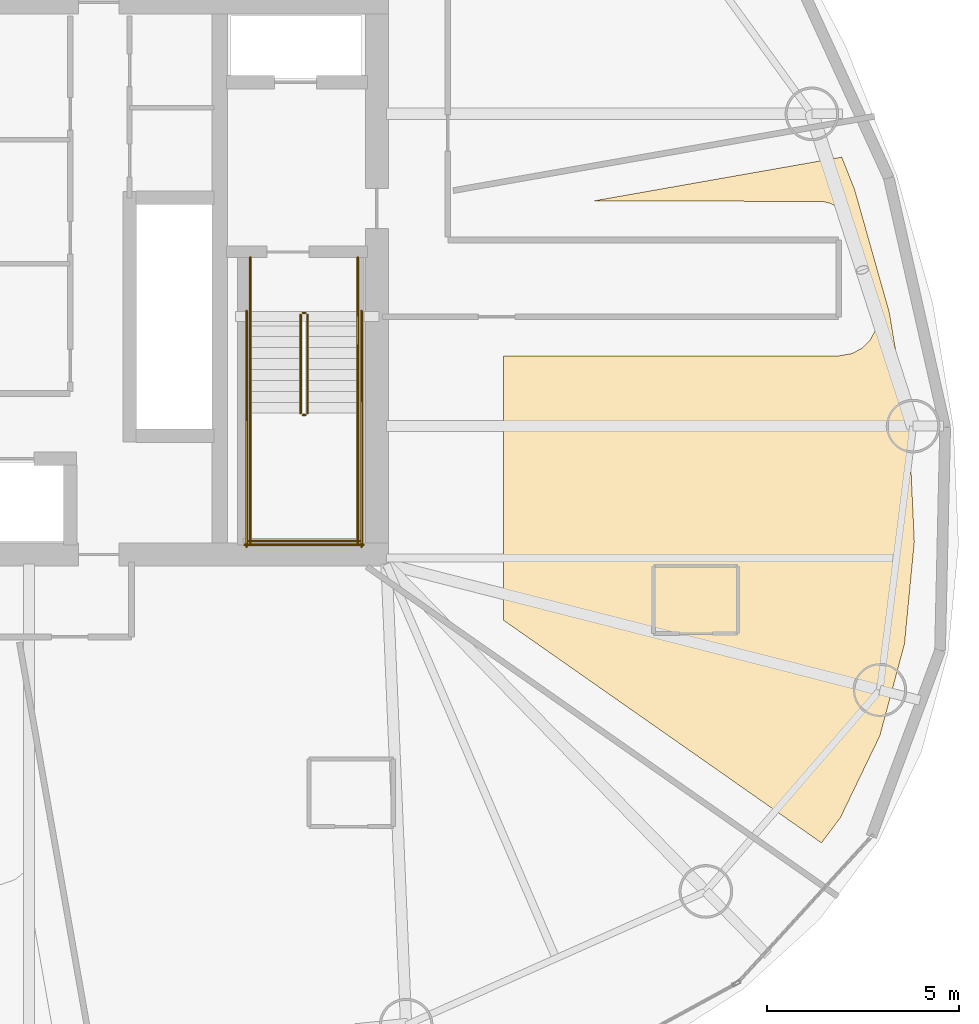
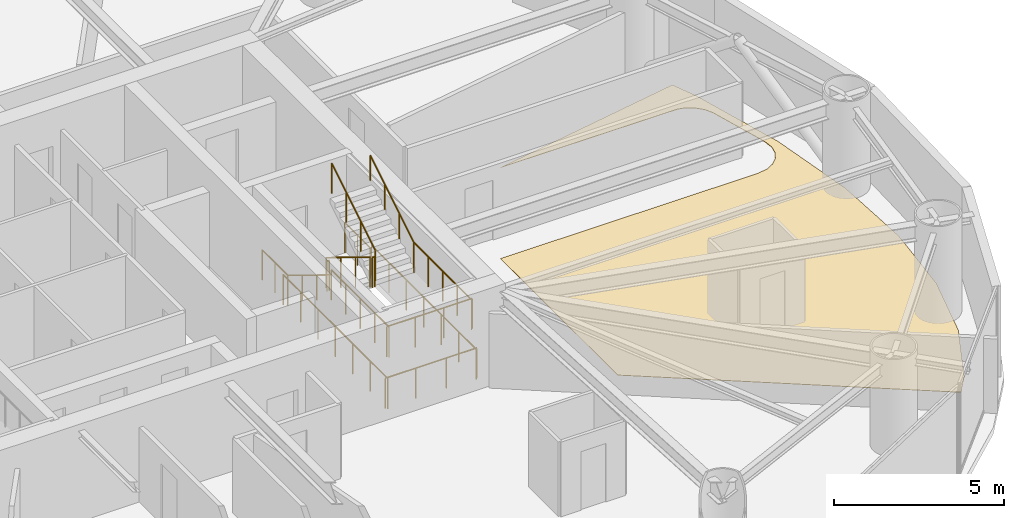
# One storey, part 19 of 20: 14 railings, 1 covering.
"""IFC4 building model written with IfcOpenShell, lengths in metres."""

from ifc_helpers import new_model, si_unit, direction, frame, origin, origin_2d, place, context, subcontext, project, spatial, polyline, circle, outline, extrude, material, layer, layer_set, type_object, element, save


model = new_model("IFC4")

# Units and contexts
model_context = context("Model", 3, precision=1e-05, world=origin(), true_north=direction((0.0, 1.0)))
body_context = subcontext(model_context, "Body", "Model", "MODEL_VIEW")
ifc_project = project(units=[si_unit("LENGTHUNIT", "METRE"), si_unit("AREAUNIT", "SQUARE_METRE"), si_unit("VOLUMEUNIT", "CUBIC_METRE"), si_unit("PLANEANGLEUNIT", "RADIAN"), si_unit("MASSUNIT", "GRAM", prefix="KILO")], contexts=[model_context])

# Site, building, storey
site_placement = place(None, origin())
site = spatial("IfcSite", under=ifc_project, at=site_placement, CompositionType="ELEMENT")
building_placement = place(site_placement, origin())
building = spatial("IfcBuilding", under=site, at=building_placement, Name="Bramvorn Convention Spire", CompositionType="ELEMENT")
storey_placement = place(building_placement, frame((0.0, 0.0, 155.300048828125)))
storey = spatial("IfcBuildingStorey", under=building, at=storey_placement, Name="L39", CompositionType="ELEMENT", Elevation=155.300048828125)

# Covering
ifc_material_1 = material(Name="Solution-Dyed Wool Broadloom Hospitality Carpet", Category="textile")
ifc_layer = layer(ifc_material_1, 0.014892578125)
ifc_layer_set = layer_set([ifc_layer], Name="Solution-Dyed Wool Broadloom Hospitality Carpet - FLR-CARPET-15")
covering_type = type_object("IfcCoveringType", Name="FLR-CARPET-15", PredefinedType="FLOORING", material=ifc_layer_set)
covering_placement = place(storey_placement, origin())
element("IfcCovering", 1, at=covering_placement, inside=storey, type_object=covering_type, Name="Hotel Suite 3908 wool broadloom carpet", PredefinedType="FLOORING", context=body_context, shape_type="SweptSolid", body=[
    extrude(outline(polyline([(60.626708984375, 28.009521484375), (60.8349609375, 27.956298828125), (61.100830078125, 27.8095703125), (61.31201171875, 27.591064453125), (61.4453125, 27.331298828125), (62.02685546875, 25.277099609375), (62.063232421875, 24.939697265625), (62.003173828125, 24.649658203125), (61.862060546875, 24.38916015625), (61.652099609375, 24.180419921875), (61.390869140625, 24.04052734375), (61.045166015625, 23.97998046875), (52.300048828125, 23.97998046875), (52.300048828125, 17.085693359375), (60.594482421875, 11.27783203125), (61.088623046875, 11.934326171875), (62.118896484375, 14.072265625), (62.760986328125, 16.46923828125), (63.0166015625, 19.127685546875), (62.884521484375, 22.024169921875), (62.36474609375, 25.111083984375), (61.458740234375, 28.32080078125), (61.124267578125, 29.16357421875), (54.638916015625, 28.02001953125), (60.626708984375, 28.009521484375)])), origin(), (0.0, 0.0, 1.0), 0.014892578125),
])

# Railings
ifc_material_2 = material(Name="Painted Steel Balustrade & Guardrail", Category="steel")
railing_type_1 = type_object("IfcRailingType", Name="RL-STAIR-GUARD-1100", PredefinedType="GUARDRAIL", material=ifc_material_2)
railing_1_placement = place(storey_placement, frame((47.010009765625, 25.050048828125, 0.175048828125)))
element("IfcRailing", 2, at=railing_1_placement, inside=storey, type_object=railing_type_1, Name="L39 ST2 stair guard 1", PredefinedType="GUARDRAIL", context=body_context, shape_type="SweptSolid", body=[
    extrude(circle(Radius=0.02392578125, at=origin_2d()), frame((0.0, 0.0, 1.076171875), z_axis=(0.0, -0.852173129349, 0.523259933127), x_axis=(1.0, 0.0, 0.0)), (0.0, 0.0, 1.0), 3.009765625),
    extrude(circle(Radius=0.02099609375, at=origin_2d()), origin(), (0.0, 0.0, 1.0), 1.052001953125),
    extrude(circle(Radius=0.02099609375, at=origin_2d()), frame((0.0, -0.85498046875, 0.52490234375)), (0.0, 0.0, 1.0), 1.052001953125),
    extrude(circle(Radius=0.02099609375, at=origin_2d()), frame((0.0, -1.7099609375, 1.050048828125)), (0.0, 0.0, 1.0), 1.052001953125),
    extrude(circle(Radius=0.02099609375, at=origin_2d()), frame((0.0, -2.56494140625, 1.574951171875)), (0.0, 0.0, 1.0), 1.052001953125),
])
railing_2_placement = place(storey_placement, frame((47.06005859375, 22.43505859375, 1.75)))
element("IfcRailing", 3, at=railing_2_placement, inside=storey, type_object=railing_type_1, Name="L39 ST2 stair guard 2", PredefinedType="GUARDRAIL", context=body_context, shape_type="SweptSolid", body=[
    extrude(circle(Radius=0.02392578125, at=origin_2d()), frame((0.0, 0.0, 1.076171875), z_axis=(1.0, 0.0, 0.0), x_axis=(0.0, 1.0, 0.0)), (0.0, 0.0, 1.0), 0.079833984375),
    extrude(circle(Radius=0.02099609375, at=origin_2d()), origin(), (0.0, 0.0, 1.0), 1.052001953125),
    extrude(circle(Radius=0.02099609375, at=origin_2d()), frame((0.079833984375, 0.0, 0.0)), (0.0, 0.0, 1.0), 1.052001953125),
])
for number, where, name in (
    (4, (45.699951171875, 22.485107421875, 1.75), "L39 ST2 stair guard 3"),
    (5, (48.5, 22.485107421875, 1.75), "L39 ST2 stair guard 4"),
):
    element("IfcRailing", number, at=place(storey_placement, frame(where)), inside=storey, type_object=railing_type_1, Name=name, PredefinedType="GUARDRAIL", context=body_context, shape_type="SweptSolid", body=[
        extrude(circle(Radius=0.02392578125, at=origin_2d()), frame((0.0, 0.0, 1.076171875), z_axis=(0.0, -1.0, 0.0), x_axis=(1.0, 0.0, 0.0)), (0.0, 0.0, 1.0), 3.385009765625),
        extrude(circle(Radius=0.02099609375, at=origin_2d()), origin(), (0.0, 0.0, 1.0), 1.052001953125),
        extrude(circle(Radius=0.02099609375, at=origin_2d()), frame((0.0, -0.84619140625, 0.0)), (0.0, 0.0, 1.0), 1.052001953125),
        extrude(circle(Radius=0.02099609375, at=origin_2d()), frame((0.0, -1.6923828125, 0.0)), (0.0, 0.0, 1.0), 1.052001953125),
        extrude(circle(Radius=0.02099609375, at=origin_2d()), frame((0.0, -2.538818359375, 0.0)), (0.0, 0.0, 1.0), 1.052001953125),
        extrude(circle(Radius=0.02099609375, at=origin_2d()), frame((0.0, -3.385009765625, 0.0)), (0.0, 0.0, 1.0), 1.052001953125),
    ])
railing_3_placement = place(storey_placement, frame((45.64990234375, 19.14990234375, 1.75)))
element("IfcRailing", 6, at=railing_3_placement, inside=storey, type_object=railing_type_1, Name="L39 ST2 stair guard 5", PredefinedType="GUARDRAIL", context=body_context, shape_type="SweptSolid", body=[
    extrude(circle(Radius=0.02392578125, at=origin_2d()), frame((0.0, 0.0, 1.076171875), z_axis=(1.0, 0.0, 0.0), x_axis=(0.0, 1.0, 0.0)), (0.0, 0.0, 1.0), 2.900146484375),
    extrude(circle(Radius=0.02099609375, at=origin_2d()), origin(), (0.0, 0.0, 1.0), 1.052001953125),
    extrude(circle(Radius=0.02099609375, at=origin_2d()), frame((0.966796875, 0.0, 0.0)), (0.0, 0.0, 1.0), 1.052001953125),
    extrude(circle(Radius=0.02099609375, at=origin_2d()), frame((1.933349609375, 0.0, 0.0)), (0.0, 0.0, 1.0), 1.052001953125),
    extrude(circle(Radius=0.02099609375, at=origin_2d()), frame((2.900146484375, 0.0, 0.0)), (0.0, 0.0, 1.0), 1.052001953125),
])
railing_4_placement = place(storey_placement, frame((47.18994140625, 22.485107421875, 1.925048828125)))
element("IfcRailing", 7, at=railing_4_placement, inside=storey, type_object=railing_type_1, Name="L39 ST2 stair guard 6", PredefinedType="GUARDRAIL", context=body_context, shape_type="SweptSolid", body=[
    extrude(circle(Radius=0.02392578125, at=origin_2d()), frame((0.0, 0.0, 1.076171875), z_axis=(0.0, 0.852173129349, 0.523259933127), x_axis=(-1.0, 0.0, 0.0)), (0.0, 0.0, 1.0), 3.009765625),
    extrude(circle(Radius=0.02099609375, at=origin_2d()), origin(), (0.0, 0.0, 1.0), 1.052001953125),
    extrude(circle(Radius=0.02099609375, at=origin_2d()), frame((0.0, 0.85498046875, 0.52490234375)), (0.0, 0.0, 1.0), 1.052001953125),
    extrude(circle(Radius=0.02099609375, at=origin_2d()), frame((0.0, 1.7099609375, 1.050048828125)), (0.0, 0.0, 1.0), 1.052001953125),
    extrude(circle(Radius=0.02099609375, at=origin_2d()), frame((0.0, 2.56494140625, 1.574951171875)), (0.0, 0.0, 1.0), 1.052001953125),
])
railing_5_placement = place(storey_placement, frame((47.06005859375, 25.10009765625, 0.0)))
element("IfcRailing", 8, at=railing_5_placement, inside=storey, type_object=railing_type_1, Name="L39 ST2 stair guard 7", PredefinedType="GUARDRAIL", context=body_context, shape_type="SweptSolid", body=[
    extrude(circle(Radius=0.02392578125, at=origin_2d()), frame((0.0, 0.0, 1.076171875), z_axis=(1.0, 0.0, 0.0), x_axis=(0.0, 1.0, 0.0)), (0.0, 0.0, 1.0), 0.079833984375),
    extrude(circle(Radius=0.02099609375, at=origin_2d()), origin(), (0.0, 0.0, 1.0), 1.052001953125),
    extrude(circle(Radius=0.02099609375, at=origin_2d()), frame((0.079833984375, 0.0, 0.0)), (0.0, 0.0, 1.0), 1.052001953125),
])
for number, where, name in (
    (9, (45.699951171875, 26.550048828125, 0.0), "L39 ST2 stair guard 8"),
    (10, (48.5, 26.550048828125, 0.0), "L39 ST2 stair guard 9"),
):
    element("IfcRailing", number, at=place(storey_placement, frame(where)), inside=storey, type_object=railing_type_1, Name=name, PredefinedType="GUARDRAIL", context=body_context, shape_type="SweptSolid", body=[
        extrude(circle(Radius=0.02392578125, at=origin_2d()), frame((0.0, 0.0, 1.076171875), z_axis=(0.0, -1.0, 0.0), x_axis=(1.0, 0.0, 0.0)), (0.0, 0.0, 1.0), 1.5),
        extrude(circle(Radius=0.02099609375, at=origin_2d()), origin(), (0.0, 0.0, 1.0), 1.052001953125),
        extrude(circle(Radius=0.02099609375, at=origin_2d()), frame((0.0, -0.75, 0.0)), (0.0, 0.0, 1.0), 1.052001953125),
        extrude(circle(Radius=0.02099609375, at=origin_2d()), frame((0.0, -1.5, 0.0)), (0.0, 0.0, 1.0), 1.052001953125),
    ])
for number, where, name in (
    (11, (45.60009765625, 25.14990234375, 0.0), "L39 ST2 stair guard 10"),
    (12, (48.60009765625, 25.14990234375, 0.0), "L39 ST2 stair guard 11"),
):
    element("IfcRailing", number, at=place(storey_placement, frame(where)), inside=storey, type_object=railing_type_1, Name=name, PredefinedType="GUARDRAIL", context=body_context, shape_type="SweptSolid", body=[
        extrude(circle(Radius=0.02392578125, at=origin_2d()), frame((0.0, 0.0, 1.076171875), z_axis=(0.0, -1.0, 0.0), x_axis=(1.0, 0.0, 0.0)), (0.0, 0.0, 1.0), 6.14990234375),
        extrude(circle(Radius=0.02099609375, at=origin_2d()), origin(), (0.0, 0.0, 1.0), 1.052001953125),
        extrude(circle(Radius=0.02099609375, at=origin_2d()), frame((0.0, -1.02490234375, 0.0)), (0.0, 0.0, 1.0), 1.052001953125),
        extrude(circle(Radius=0.02099609375, at=origin_2d()), frame((0.0, -2.050048828125, 0.0)), (0.0, 0.0, 1.0), 1.052001953125),
        extrude(circle(Radius=0.02099609375, at=origin_2d()), frame((0.0, -3.074951171875, 0.0)), (0.0, 0.0, 1.0), 1.052001953125),
        extrude(circle(Radius=0.02099609375, at=origin_2d()), frame((0.0, -4.099853515625, 0.0)), (0.0, 0.0, 1.0), 1.052001953125),
        extrude(circle(Radius=0.02099609375, at=origin_2d()), frame((0.0, -5.125, 0.0)), (0.0, 0.0, 1.0), 1.052001953125),
        extrude(circle(Radius=0.02099609375, at=origin_2d()), frame((0.0, -6.14990234375, 0.0)), (0.0, 0.0, 1.0), 1.052001953125),
    ])
railing_6_placement = place(storey_placement, frame((45.550048828125, 19.050048828125, 0.0)))
element("IfcRailing", 13, at=railing_6_placement, inside=storey, type_object=railing_type_1, Name="L39 ST2 stair guard 12", PredefinedType="GUARDRAIL", context=body_context, shape_type="SweptSolid", body=[
    extrude(circle(Radius=0.02392578125, at=origin_2d()), frame((0.0, 0.0, 1.076171875), z_axis=(1.0, 0.0, 0.0), x_axis=(0.0, 1.0, 0.0)), (0.0, 0.0, 1.0), 3.099853515625),
    extrude(circle(Radius=0.02099609375, at=origin_2d()), origin(), (0.0, 0.0, 1.0), 1.052001953125),
    extrude(circle(Radius=0.02099609375, at=origin_2d()), frame((1.033203125, 0.0, 0.0)), (0.0, 0.0, 1.0), 1.052001953125),
    extrude(circle(Radius=0.02099609375, at=origin_2d()), frame((2.066650390625, 0.0, 0.0)), (0.0, 0.0, 1.0), 1.052001953125),
    extrude(circle(Radius=0.02099609375, at=origin_2d()), frame((3.099853515625, 0.0, 0.0)), (0.0, 0.0, 1.0), 1.052001953125),
])
ifc_material_3 = material(Name="Brushed Bronze Tubular Handrail", Category="aluminium")
railing_type_2 = type_object("IfcRailingType", Name="RL-STAIR-HR-920", PredefinedType="HANDRAIL", material=ifc_material_3)
railing_7_placement = place(storey_placement, frame((45.699951171875, 25.050048828125, 0.175048828125)))
element("IfcRailing", 14, at=railing_7_placement, inside=storey, type_object=railing_type_2, Name="L39 ST2 stair handrail 1", PredefinedType="HANDRAIL", context=body_context, shape_type="SweptSolid", body=[
    extrude(circle(Radius=0.02392578125, at=origin_2d()), frame((0.0, 0.0, 0.89599609375), z_axis=(0.0, -0.852173129349, 0.523259933127), x_axis=(1.0, 0.0, 0.0)), (0.0, 0.0, 1.0), 3.009765625),
    extrude(circle(Radius=0.02099609375, at=origin_2d()), origin(), (0.0, 0.0, 1.0), 0.871826171875),
    extrude(circle(Radius=0.02099609375, at=origin_2d()), frame((0.0, -0.85498046875, 0.52490234375)), (0.0, 0.0, 1.0), 0.871826171875),
    extrude(circle(Radius=0.02099609375, at=origin_2d()), frame((0.0, -1.7099609375, 1.050048828125)), (0.0, 0.0, 1.0), 0.871826171875),
    extrude(circle(Radius=0.02099609375, at=origin_2d()), frame((0.0, -2.56494140625, 1.574951171875)), (0.0, 0.0, 1.0), 0.871826171875),
])
railing_8_placement = place(storey_placement, frame((48.5, 22.485107421875, 1.925048828125)))
element("IfcRailing", 15, at=railing_8_placement, inside=storey, type_object=railing_type_2, Name="L39 ST2 stair handrail 2", PredefinedType="HANDRAIL", context=body_context, shape_type="SweptSolid", body=[
    extrude(circle(Radius=0.02392578125, at=origin_2d()), frame((0.0, 0.0, 0.89599609375), z_axis=(0.0, 0.852173129349, 0.523259933127), x_axis=(-1.0, 0.0, 0.0)), (0.0, 0.0, 1.0), 3.009765625),
    extrude(circle(Radius=0.02099609375, at=origin_2d()), origin(), (0.0, 0.0, 1.0), 0.871826171875),
    extrude(circle(Radius=0.02099609375, at=origin_2d()), frame((0.0, 0.85498046875, 0.52490234375)), (0.0, 0.0, 1.0), 0.871826171875),
    extrude(circle(Radius=0.02099609375, at=origin_2d()), frame((0.0, 1.7099609375, 1.050048828125)), (0.0, 0.0, 1.0), 0.871826171875),
    extrude(circle(Radius=0.02099609375, at=origin_2d()), frame((0.0, 2.56494140625, 1.574951171875)), (0.0, 0.0, 1.0), 0.871826171875),
])

save(model, "model.ifc")
